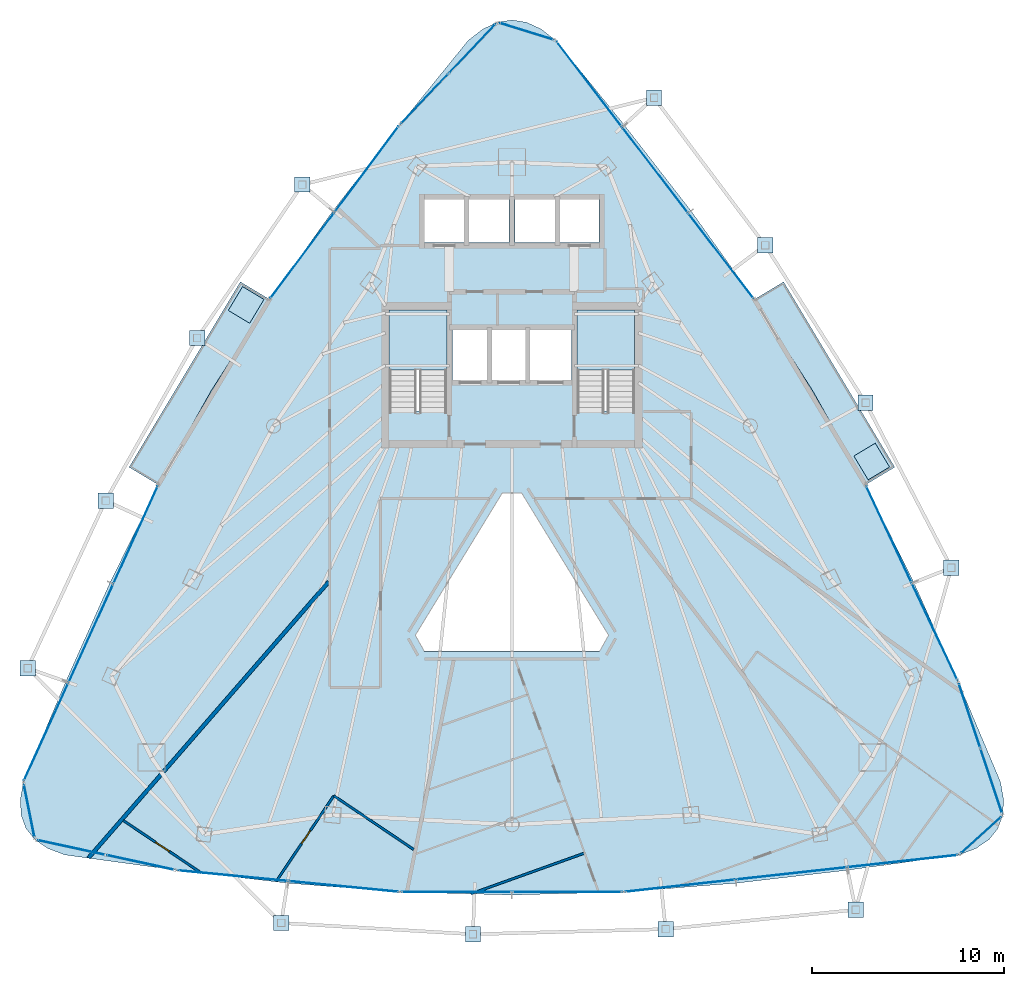
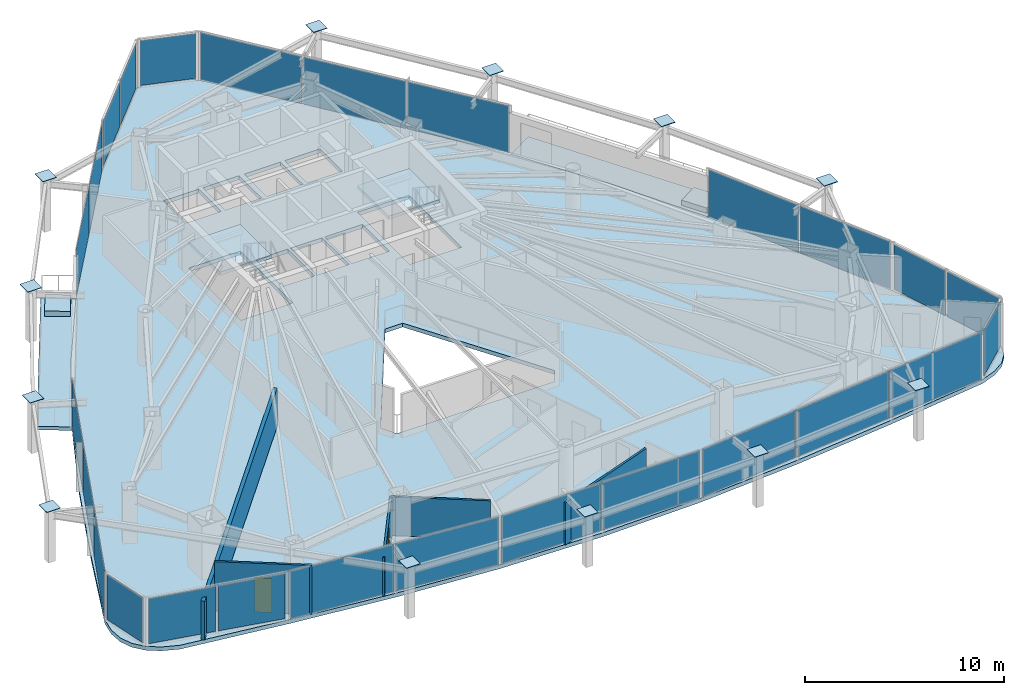
# One storey, part 24 of 30: 38 plates, 7 slabs, 5 walls, 2 doors, 2 openings, 15 elements without a shape of their own.
"""IFC4 building model written with IfcOpenShell, lengths in metres."""

from ifc_helpers import new_model, si_unit, direction, frame, frame_2d, origin, origin_2d, place, context, subcontext, project, spatial, polyline, rectangle, outline, extrude, material, layer, layer_set, type_object, element, fill, aggregate, save


model = new_model("IFC4")

# Units and contexts
model_context = context("Model", 3, precision=1e-05, world=origin(), true_north=direction((0.0, 1.0)))
body_context = subcontext(model_context, "Body", "Model", "MODEL_VIEW")
ifc_project = project(units=[si_unit("LENGTHUNIT", "METRE"), si_unit("AREAUNIT", "SQUARE_METRE"), si_unit("VOLUMEUNIT", "CUBIC_METRE"), si_unit("PLANEANGLEUNIT", "RADIAN"), si_unit("MASSUNIT", "GRAM", prefix="KILO")], contexts=[model_context])

# Site, building, storey
site_placement = place(None, origin())
site = spatial("IfcSite", under=ifc_project, at=site_placement, CompositionType="ELEMENT")
building_placement = place(site_placement, origin())
building = spatial("IfcBuilding", under=site, at=building_placement, Name="Orvanel Arch Residences", CompositionType="ELEMENT")
storey_placement = place(building_placement, frame((0.0, 0.0, 143.0)))
storey = spatial("IfcBuildingStorey", under=building, at=storey_placement, Name="L40", CompositionType="ELEMENT", Elevation=143.0)

# Plates
ifc_material_1 = material(Name="Structural steel AS/NZS 3678 Grade 350", Category="steel")
ifc_layer_1 = layer(ifc_material_1, 0.031982421875)
ifc_layer_set_1 = layer_set([ifc_layer_1], Name="Structural steel AS/NZS 3678 Grade 350")
plate_type_1 = type_object("IfcPlateType", Name="PL-CAP-32", PredefinedType="SHEET", material=ifc_layer_set_1)
for number, where, z_axis, x_axis, name in (
    (1, (22.06689453125, 40.23291015625, 3.2841796875), (0.0, 0.0, 1.0), (1.0, 0.0, 0.0), "L40 hollow member end cap plate"),
    (2, (16.5810546875, 32.23095703125, 3.2841796875), (0.0, 0.0, 1.0), (1.0, 0.0, 0.0), "L40 hollow member end cap plate"),
    (3, (11.805908203125, 23.748046875, 3.2841796875), (0.0, 0.0, 1.0), (1.0, 0.0, 0.0), "L40 hollow member end cap plate"),
    (4, (7.740966796875, 15.009033203125, 3.2841796875), (0.0, 0.0, 1.0), (1.0, 0.0, 0.0), "L40 hollow member end cap plate"),
    (5, (20.964111328125, 1.719970703125, 3.2841796875), (0.0, 0.0, 1.0), (1.0, 0.0, 0.0), "L40 hollow member end cap plate"),
    (6, (30.967041015625, 1.132080078125, 3.2841796875), (0.0, 0.0, 1.0), (1.0, 0.0, 0.0), "L40 hollow member end cap plate"),
    (7, (41.01611328125, 1.39990234375, 3.2841796875), (0.0, 0.0, 1.0), (1.0, 0.0, 0.0), "L40 hollow member end cap plate"),
    (8, (50.925048828125, 2.408935546875, 3.2841796875), (0.0, 0.0, 1.0), (1.0, 0.0, 0.0), "L40 hollow member end cap plate"),
    (9, (55.9208984375, 20.248046875, 3.2841796875), (0.0, 0.0, 1.0), (1.0, 0.0, 0.0), "L40 hollow member end cap plate"),
    (10, (51.444091796875, 28.85595703125, 3.2841796875), (0.0, 0.0, 1.0), (1.0, 0.0, 0.0), "L40 hollow member end cap plate"),
    (11, (46.2080078125, 37.06201171875, 3.2841796875), (0.0, 0.0, 1.0), (1.0, 0.0, 0.0), "L40 hollow member end cap plate"),
    (12, (40.410888671875, 44.762939453125, 3.2841796875), (0.0, 0.0, 1.0), (1.0, 0.0, 0.0), "L40 hollow member end cap plate"),
):
    element("IfcPlate", number, at=place(storey_placement, frame(where, z_axis=z_axis, x_axis=x_axis)), inside=storey, type_object=plate_type_1, Name=name, PredefinedType="SHEET", context=body_context, shape_type="SweptSolid", body=[
        extrude(rectangle(XDim=0.800048828125, YDim=0.800048828125, at=origin_2d()), origin(), (0.0, 0.0, 1.0), 0.031982421875),
    ])

# Curtain wall, plates
ifc_material_2 = material(Name="Bronze-anodised aluminium AA6063-T6", Category="aluminium")
ifc_layer_2 = layer(ifc_material_2, 0.179931640625)
ifc_layer_set_2 = layer_set([ifc_layer_2], Name="Bronze-anodised aluminium AA6063-T6")
curtain_wall_type_1 = type_object("IfcCurtainWallType", Name="CW3-MID-SYS", PredefinedType="NOTDEFINED", material=ifc_layer_set_2)
curtain_wall_1_placement = place(storey_placement, origin())
curtain_wall_1 = element("IfcCurtainWall", 13, at=curtain_wall_1_placement, inside=storey, type_object=curtain_wall_type_1, Name="L40 CW3-MID-SYS Unitised Curtain Wall", PredefinedType="NOTDEFINED")
ifc_material_3 = material(Name="Double-glazed solar-control low-E safety glass", Category="glass")
ifc_layer_3 = layer(ifc_material_3, 0.028076171875)
ifc_layer_set_3 = layer_set([ifc_layer_3], Name="Double-glazed solar-control low-E safety glass")
plate_type_2 = type_object("IfcPlateType", Name="PNL-GLZ-28", PredefinedType="CURTAIN_PANEL", material=ifc_layer_set_3)
plate_1_placement = place(storey_placement, frame((25.419677734375, 41.03466796875, 0.06005859375), z_axis=(0.0, 0.0, 1.0), x_axis=(-0.597574003819, -0.801813762641, 0.0)))
plate_1 = element("IfcPlate", 14, at=plate_1_placement, type_object=plate_type_2, Name="CW-S3 panel 1.1", PredefinedType="CURTAIN_PANEL", context=body_context, shape_type="SweptSolid", body=[
    extrude(rectangle(XDim=5.540283203125, YDim=0.028076171875, at=origin_2d()), origin(), (0.0, 0.0, 1.0), 2.89990234375),
])
plate_2_placement = place(storey_placement, frame((22.067138671875, 36.536376953125, 0.06005859375), z_axis=(0.0, 0.0, 1.0), x_axis=(-0.597574003819, -0.801813762641, 0.0)))
plate_2 = element("IfcPlate", 15, at=plate_2_placement, type_object=plate_type_2, Name="CW-S3 panel 2.1", PredefinedType="CURTAIN_PANEL", context=body_context, shape_type="SweptSolid", body=[
    extrude(rectangle(XDim=5.540283203125, YDim=0.028076171875, at=origin_2d()), origin(), (0.0, 0.0, 1.0), 2.89990234375),
])
aggregate(curtain_wall_1, [plate_1, plate_2])

curtain_wall_2_placement = place(storey_placement, origin())
curtain_wall_2 = element("IfcCurtainWall", 16, at=curtain_wall_2_placement, inside=storey, type_object=curtain_wall_type_1, Name="L40 CW3-MID-SYS Unitised Curtain Wall", PredefinedType="NOTDEFINED")
plate_3_placement = place(storey_placement, frame((13.373046875, 21.96533203125, 0.06005859375), z_axis=(0.0, 0.0, 1.0), x_axis=(-0.413621032225, -0.910449142842, 0.0)))
plate_3 = element("IfcPlate", 17, at=plate_3_placement, type_object=plate_type_2, Name="CW-S3 panel 1.1", PredefinedType="CURTAIN_PANEL", context=body_context, shape_type="SweptSolid", body=[
    extrude(rectangle(XDim=5.5556640625, YDim=0.028076171875, at=origin_2d()), origin(), (0.0, 0.0, 1.0), 2.89990234375),
])
plate_4_placement = place(storey_placement, frame((11.0390625, 16.827392578125, 0.06005859375), z_axis=(0.0, 0.0, 1.0), x_axis=(-0.413621032225, -0.910449142842, 0.0)))
plate_4 = element("IfcPlate", 18, at=plate_4_placement, type_object=plate_type_2, Name="CW-S3 panel 2.1", PredefinedType="CURTAIN_PANEL", context=body_context, shape_type="SweptSolid", body=[
    extrude(rectangle(XDim=5.590576171875, YDim=0.028076171875, at=origin_2d()), origin(), (0.0, 0.0, 1.0), 2.89990234375),
])
plate_5_placement = place(storey_placement, frame((8.704833984375, 11.689697265625, 0.06005859375), z_axis=(0.0, 0.0, 1.0), x_axis=(-0.413621032225, -0.910449142842, 0.0)))
plate_5 = element("IfcPlate", 19, at=plate_5_placement, type_object=plate_type_2, Name="CW-S3 panel 3.1", PredefinedType="CURTAIN_PANEL", context=body_context, shape_type="SweptSolid", body=[
    extrude(rectangle(XDim=5.5556640625, YDim=0.028076171875, at=origin_2d()), origin(), (0.0, 0.0, 1.0), 2.89990234375),
])
aggregate(curtain_wall_2, [plate_3, plate_4, plate_5])

curtain_wall_3_placement = place(storey_placement, origin())
curtain_wall_3 = element("IfcCurtainWall", 20, at=curtain_wall_3_placement, inside=storey, type_object=curtain_wall_type_1, Name="L40 CW3-MID-SYS Unitised Curtain Wall", PredefinedType="NOTDEFINED")
plate_6_placement = place(storey_placement, frame((18.449951171875, 4.183349609375, 0.06005859375), z_axis=(0.0, 0.0, 1.0), x_axis=(0.99532295767, -0.096603363992, 0.0)))
plate_6 = element("IfcPlate", 21, at=plate_6_placement, type_object=plate_type_2, Name="CW-S3 panel 1.1", PredefinedType="CURTAIN_PANEL", context=body_context, shape_type="SweptSolid", body=[
    extrude(rectangle(XDim=5.7333984375, YDim=0.028076171875, at=origin_2d()), origin(), (0.0, 0.0, 1.0), 2.89990234375),
])
plate_7_placement = place(storey_placement, frame((24.22607421875, 3.622802734375, 0.06005859375), z_axis=(0.0, 0.0, 1.0), x_axis=(0.99532295767, -0.096603363992, 0.0)))
plate_7 = element("IfcPlate", 22, at=plate_7_placement, type_object=plate_type_2, Name="CW-S3 panel 2.1", PredefinedType="CURTAIN_PANEL", context=body_context, shape_type="SweptSolid", body=[
    extrude(rectangle(XDim=5.7333984375, YDim=0.028076171875, at=origin_2d()), origin(), (0.0, 0.0, 1.0), 2.89990234375),
])
aggregate(curtain_wall_3, [plate_6, plate_7])

curtain_wall_4_placement = place(storey_placement, origin())
curtain_wall_4 = element("IfcCurtainWall", 23, at=curtain_wall_4_placement, inside=storey, type_object=curtain_wall_type_1, Name="L40 CW3-MID-SYS Unitised Curtain Wall", PredefinedType="NOTDEFINED")
plate_8_placement = place(storey_placement, frame((30.112060546875, 3.3369140625, 0.06005859375), z_axis=(0.0, 0.0, 1.0), x_axis=(1.0, 0.0, 0.0)))
plate_8 = element("IfcPlate", 24, at=plate_8_placement, type_object=plate_type_2, Name="CW-S3 panel 1.1", PredefinedType="CURTAIN_PANEL", context=body_context, shape_type="SweptSolid", body=[
    extrude(rectangle(XDim=5.7060546875, YDim=0.028076171875, at=origin_2d()), origin(), (0.0, 0.0, 1.0), 2.89990234375),
])
plate_9_placement = place(storey_placement, frame((35.887939453125, 3.3369140625, 0.06005859375), z_axis=(0.0, 0.0, 1.0), x_axis=(1.0, 0.0, 0.0)))
plate_9 = element("IfcPlate", 25, at=plate_9_placement, type_object=plate_type_2, Name="CW-S3 panel 2.1", PredefinedType="CURTAIN_PANEL", context=body_context, shape_type="SweptSolid", body=[
    extrude(rectangle(XDim=5.7060546875, YDim=0.028076171875, at=origin_2d()), origin(), (0.0, 0.0, 1.0), 2.89990234375),
])
aggregate(curtain_wall_4, [plate_8, plate_9])

curtain_wall_5_placement = place(storey_placement, origin())
curtain_wall_5 = element("IfcCurtainWall", 26, at=curtain_wall_5_placement, inside=storey, type_object=curtain_wall_type_1, Name="L40 CW3-MID-SYS Unitised Curtain Wall", PredefinedType="NOTDEFINED")
plate_10_placement = place(storey_placement, frame((41.77734375, 3.662353515625, 0.06005859375), z_axis=(0.0, 0.0, 1.0), x_axis=(0.993947463376, 0.109856452012, 0.0)))
plate_10 = element("IfcPlate", 27, at=plate_10_placement, type_object=plate_type_2, Name="CW-S3 panel 1.1", PredefinedType="CURTAIN_PANEL", context=body_context, shape_type="SweptSolid", body=[
    extrude(rectangle(XDim=5.748046875, YDim=0.028076171875, at=origin_2d()), origin(), (0.0, 0.0, 1.0), 2.89990234375),
])
plate_11_placement = place(storey_placement, frame((47.577392578125, 4.303466796875, 0.06005859375), z_axis=(0.0, 0.0, 1.0), x_axis=(0.993947463376, 0.109856452012, 0.0)))
plate_11 = element("IfcPlate", 28, at=plate_11_placement, type_object=plate_type_2, Name="CW-S3 panel 2.1", PredefinedType="CURTAIN_PANEL", context=body_context, shape_type="SweptSolid", body=[
    extrude(rectangle(XDim=5.783203125, YDim=0.028076171875, at=origin_2d()), origin(), (0.0, 0.0, 1.0), 2.89990234375),
])
plate_12_placement = place(storey_placement, frame((53.377685546875, 4.944580078125, 0.06005859375), z_axis=(0.0, 0.0, 1.0), x_axis=(0.993947463376, 0.109856452012, 0.0)))
plate_12 = element("IfcPlate", 29, at=plate_12_placement, type_object=plate_type_2, Name="CW-S3 panel 3.1", PredefinedType="CURTAIN_PANEL", context=body_context, shape_type="SweptSolid", body=[
    extrude(rectangle(XDim=5.748046875, YDim=0.028076171875, at=origin_2d()), origin(), (0.0, 0.0, 1.0), 2.89990234375),
])
aggregate(curtain_wall_5, [plate_10, plate_11, plate_12])

curtain_wall_6_placement = place(storey_placement, origin())
curtain_wall_6 = element("IfcCurtainWall", 30, at=curtain_wall_6_placement, inside=storey, type_object=curtain_wall_type_1, Name="L40 CW3-MID-SYS Unitised Curtain Wall", PredefinedType="NOTDEFINED")
plate_13_placement = place(storey_placement, frame((55.050048828125, 16.91259765625, 0.06005859375), z_axis=(0.0, 0.0, 1.0), x_axis=(-0.426010289326, 0.904718317151, 0.0)))
plate_13 = element("IfcPlate", 31, at=plate_13_placement, type_object=plate_type_2, Name="CW-S3 panel 1.1", PredefinedType="CURTAIN_PANEL", context=body_context, shape_type="SweptSolid", body=[
    extrude(rectangle(XDim=5.540283203125, YDim=0.028076171875, at=origin_2d()), origin(), (0.0, 0.0, 1.0), 2.89990234375),
])
plate_14_placement = place(storey_placement, frame((52.659912109375, 21.988525390625, 0.06005859375), z_axis=(0.0, 0.0, 1.0), x_axis=(-0.426010289326, 0.904718317151, 0.0)))
plate_14 = element("IfcPlate", 32, at=plate_14_placement, type_object=plate_type_2, Name="CW-S3 panel 2.1", PredefinedType="CURTAIN_PANEL", context=body_context, shape_type="SweptSolid", body=[
    extrude(rectangle(XDim=5.540283203125, YDim=0.028076171875, at=origin_2d()), origin(), (0.0, 0.0, 1.0), 2.89990234375),
])
aggregate(curtain_wall_6, [plate_13, plate_14])

curtain_wall_7_placement = place(storey_placement, origin())
curtain_wall_7 = element("IfcCurtainWall", 33, at=curtain_wall_7_placement, inside=storey, type_object=curtain_wall_type_1, Name="L40 CW3-MID-SYS Unitised Curtain Wall", PredefinedType="NOTDEFINED")
plate_15_placement = place(storey_placement, frame((43.897216796875, 36.518798828125, 0.06005859375), z_axis=(0.0, 0.0, 1.0), x_axis=(-0.608511901478, 0.793544747169, 0.0)))
plate_15 = element("IfcPlate", 34, at=plate_15_placement, type_object=plate_type_2, Name="CW-S3 panel 1.1", PredefinedType="CURTAIN_PANEL", context=body_context, shape_type="SweptSolid", body=[
    extrude(rectangle(XDim=5.55517578125, YDim=0.028076171875, at=origin_2d()), origin(), (0.0, 0.0, 1.0), 2.89990234375),
])
plate_16_placement = place(storey_placement, frame((40.46337890625, 40.99658203125, 0.06005859375), z_axis=(0.0, 0.0, 1.0), x_axis=(-0.608511901478, 0.793544747169, 0.0)))
plate_16 = element("IfcPlate", 35, at=plate_16_placement, type_object=plate_type_2, Name="CW-S3 panel 2.1", PredefinedType="CURTAIN_PANEL", context=body_context, shape_type="SweptSolid", body=[
    extrude(rectangle(XDim=5.59033203125, YDim=0.028076171875, at=origin_2d()), origin(), (0.0, 0.0, 1.0), 2.89990234375),
])
plate_17_placement = place(storey_placement, frame((37.02978515625, 45.474365234375, 0.06005859375), z_axis=(0.0, 0.0, 1.0), x_axis=(-0.608511901478, 0.793544747169, 0.0)))
plate_17 = element("IfcPlate", 36, at=plate_17_placement, type_object=plate_type_2, Name="CW-S3 panel 3.1", PredefinedType="CURTAIN_PANEL", context=body_context, shape_type="SweptSolid", body=[
    extrude(rectangle(XDim=5.55517578125, YDim=0.028076171875, at=origin_2d()), origin(), (0.0, 0.0, 1.0), 2.89990234375),
])
aggregate(curtain_wall_7, [plate_15, plate_16, plate_17])

# Curtain wall, plate
ifc_layer_4 = layer(ifc_material_2, 0.18994140625)
ifc_layer_set_4 = layer_set([ifc_layer_4], Name="Bronze-anodised aluminium AA6063-T6")
curtain_wall_type_2 = type_object("IfcCurtainWallType", Name="CW5-CRN-SYS", PredefinedType="NOTDEFINED", material=ifc_layer_set_4)
curtain_wall_8_placement = place(storey_placement, origin())
curtain_wall_8 = element("IfcCurtainWall", 37, at=curtain_wall_8_placement, inside=storey, type_object=curtain_wall_type_2, Name="L40 CW5-CRN-SYS Unitised Curtain Wall", PredefinedType="NOTDEFINED")
ifc_layer_5 = layer(ifc_material_3, 0.031982421875)
ifc_layer_set_5 = layer_set([ifc_layer_5], Name="Double-glazed solar-control low-E safety glass")
plate_type_3 = type_object("IfcPlateType", Name="PNL-GLZ-32", PredefinedType="CURTAIN_PANEL", material=ifc_layer_set_5)
plate_18_placement = place(storey_placement, frame((33.761474609375, 48.22412109375, 0.1298828125), z_axis=(0.0, 0.0, 1.0), x_axis=(-0.954868777514, 0.297027974658, 0.0)))
plate_18 = element("IfcPlate", 38, at=plate_18_placement, type_object=plate_type_3, Name="CW-S5 panel 1.1", PredefinedType="CURTAIN_PANEL", context=body_context, shape_type="SweptSolid", body=[
    extrude(rectangle(XDim=2.851318359375, YDim=0.031982421875, at=origin_2d()), origin(), (0.0, 0.0, 1.0), 2.760009765625),
])
aggregate(curtain_wall_8, [plate_18])

# Curtain wall, plates
curtain_wall_9_placement = place(storey_placement, origin())
curtain_wall_9 = element("IfcCurtainWall", 39, at=curtain_wall_9_placement, inside=storey, type_object=curtain_wall_type_2, Name="L40 CW5-CRN-SYS Unitised Curtain Wall", PredefinedType="NOTDEFINED")
plate_19_placement = place(storey_placement, frame((30.927978515625, 47.3212890625, 0.1298828125), z_axis=(0.0, 0.0, 1.0), x_axis=(-0.689184239902, -0.724586146342, 0.0)))
plate_19 = element("IfcPlate", 40, at=plate_19_placement, type_object=plate_type_3, Name="CW-S5 panel 1.1", PredefinedType="CURTAIN_PANEL", context=body_context, shape_type="SweptSolid", body=[
    extrude(rectangle(XDim=3.461181640625, YDim=0.031982421875, at=origin_2d()), origin(), (0.0, 0.0, 1.0), 2.760009765625),
])
plate_20_placement = place(storey_placement, frame((28.439208984375, 44.70458984375, 0.1298828125), z_axis=(0.0, 0.0, 1.0), x_axis=(-0.689184239902, -0.724586146342, 0.0)))
plate_20 = element("IfcPlate", 41, at=plate_20_placement, type_object=plate_type_3, Name="CW-S5 panel 2.1", PredefinedType="CURTAIN_PANEL", context=body_context, shape_type="SweptSolid", body=[
    extrude(rectangle(XDim=3.461181640625, YDim=0.031982421875, at=origin_2d()), origin(), (0.0, 0.0, 1.0), 2.760009765625),
])
aggregate(curtain_wall_9, [plate_19, plate_20])

# Curtain wall, plate
curtain_wall_10_placement = place(storey_placement, origin())
curtain_wall_10 = element("IfcCurtainWall", 42, at=curtain_wall_10_placement, inside=storey, type_object=curtain_wall_type_2, Name="L40 CW5-CRN-SYS Unitised Curtain Wall", PredefinedType="NOTDEFINED")
plate_21_placement = place(storey_placement, frame((7.819580078125, 7.572509765625, 0.1298828125), z_axis=(0.0, 0.0, 1.0), x_axis=(0.195608627675, -0.980682040612, 0.0)))
plate_21 = element("IfcPlate", 43, at=plate_21_placement, type_object=plate_type_3, Name="CW-S5 panel 1.1", PredefinedType="CURTAIN_PANEL", context=body_context, shape_type="SweptSolid", body=[
    extrude(rectangle(XDim=2.7314453125, YDim=0.031982421875, at=origin_2d()), origin(), (0.0, 0.0, 1.0), 2.760009765625),
])
aggregate(curtain_wall_10, [plate_21])

# Curtain wall, plates
curtain_wall_11_placement = place(storey_placement, origin())
curtain_wall_11 = element("IfcCurtainWall", 44, at=curtain_wall_11_placement, inside=storey, type_object=curtain_wall_type_2, Name="L40 CW5-CRN-SYS Unitised Curtain Wall", PredefinedType="NOTDEFINED")
plate_22_placement = place(storey_placement, frame((10.013427734375, 5.65673828125, 0.1298828125), z_axis=(0.0, 0.0, 1.0), x_axis=(0.977401537989, -0.211391186041, 0.0)))
plate_22 = element("IfcPlate", 45, at=plate_22_placement, type_object=plate_type_3, Name="CW-S5 panel 1.1", PredefinedType="CURTAIN_PANEL", context=body_context, shape_type="SweptSolid", body=[
    extrude(rectangle(XDim=3.533447265625, YDim=0.031982421875, at=origin_2d()), origin(), (0.0, 0.0, 1.0), 2.760009765625),
])
plate_23_placement = place(storey_placement, frame((13.613525390625, 4.878173828125, 0.1298828125), z_axis=(0.0, 0.0, 1.0), x_axis=(0.977401537989, -0.211391186041, 0.0)))
plate_23 = element("IfcPlate", 46, at=plate_23_placement, type_object=plate_type_3, Name="CW-S5 panel 2.1", PredefinedType="CURTAIN_PANEL", context=body_context, shape_type="SweptSolid", body=[
    extrude(rectangle(XDim=3.533447265625, YDim=0.031982421875, at=origin_2d()), origin(), (0.0, 0.0, 1.0), 2.760009765625),
])
aggregate(curtain_wall_11, [plate_22, plate_23])

# Curtain wall, plate
curtain_wall_12_placement = place(storey_placement, origin())
curtain_wall_12 = element("IfcCurtainWall", 47, at=curtain_wall_12_placement, inside=storey, type_object=curtain_wall_type_2, Name="L40 CW5-CRN-SYS Unitised Curtain Wall", PredefinedType="NOTDEFINED")
plate_24_placement = place(storey_placement, frame((57.46142578125, 6.302978515625, 0.1298828125), z_axis=(0.0, 0.0, 1.0), x_axis=(0.740089223129, 0.672508692738, 0.0)))
plate_24 = element("IfcPlate", 48, at=plate_24_placement, type_object=plate_type_3, Name="CW-S5 panel 1.1", PredefinedType="CURTAIN_PANEL", context=body_context, shape_type="SweptSolid", body=[
    extrude(rectangle(XDim=2.7333984375, YDim=0.031982421875, at=origin_2d()), origin(), (0.0, 0.0, 1.0), 2.760009765625),
])
aggregate(curtain_wall_12, [plate_24])

# Curtain wall, plates
curtain_wall_13_placement = place(storey_placement, origin())
curtain_wall_13 = element("IfcCurtainWall", 49, at=curtain_wall_13_placement, inside=storey, type_object=curtain_wall_type_2, Name="L40 CW5-CRN-SYS Unitised Curtain Wall", PredefinedType="NOTDEFINED")
plate_25_placement = place(storey_placement, frame((58.001708984375, 9.12841796875, 0.1298828125), z_axis=(0.0, 0.0, 1.0), x_axis=(-0.316350591471, 0.948642347398, 0.0)))
plate_25 = element("IfcPlate", 50, at=plate_25_placement, type_object=plate_type_3, Name="CW-S5 panel 1.1", PredefinedType="CURTAIN_PANEL", context=body_context, shape_type="SweptSolid", body=[
    extrude(rectangle(XDim=3.438720703125, YDim=0.031982421875, at=origin_2d()), origin(), (0.0, 0.0, 1.0), 2.760009765625),
])
plate_26_placement = place(storey_placement, frame((56.866455078125, 12.53271484375, 0.1298828125), z_axis=(0.0, 0.0, 1.0), x_axis=(-0.316350591471, 0.948642347398, 0.0)))
plate_26 = element("IfcPlate", 51, at=plate_26_placement, type_object=plate_type_3, Name="CW-S5 panel 2.1", PredefinedType="CURTAIN_PANEL", context=body_context, shape_type="SweptSolid", body=[
    extrude(rectangle(XDim=3.438720703125, YDim=0.031982421875, at=origin_2d()), origin(), (0.0, 0.0, 1.0), 2.760009765625),
])
aggregate(curtain_wall_13, [plate_25, plate_26])

# Slabs
ifc_material_4 = material(Name="Concrete N40 (40 MPa)", Category="concrete")
ifc_layer_6 = layer(ifc_material_4, 0.215087890625)
ifc_layer_set_6 = layer_set([ifc_layer_6], Name="Concrete N40 (40 MPa)")
slab_type_1 = type_object("IfcSlabType", Name="SLB-BAL-215", PredefinedType="FLOOR", material=ifc_layer_set_6)
slab_1_placement = place(storey_placement, frame((0.0, 0.0, -0.215087890625)))
element("IfcSlab", 52, at=slab_1_placement, inside=storey, type_object=slab_type_1, Name="L40 Cantilevered Balcony Slab Face 3", PredefinedType="FLOOR", context=body_context, shape_type="SweptSolid", body=[
    extrude(outline(polyline([(52.967041015625, 25.490966796875), (47.16796875, 35.158935546875), (45.64208984375, 34.242919921875), (48.677978515625, 29.490966796875), (51.44091796875, 24.575927734375), (52.967041015625, 25.490966796875)])), origin(), (0.0, 0.0, 1.0), 0.215087890625),
])
slab_2_placement = place(storey_placement, frame((0.0, 0.0, -0.215087890625)))
element("IfcSlab", 53, at=slab_2_placement, inside=storey, type_object=slab_type_1, Name="L40 Cantilevered Balcony Slab Face 1", PredefinedType="FLOOR", context=body_context, shape_type="SweptSolid", body=[
    extrude(outline(polyline([(18.83203125, 35.158935546875), (13.032958984375, 25.490966796875), (14.55908203125, 24.575927734375), (17.322021484375, 29.490966796875), (20.35791015625, 34.242919921875), (18.83203125, 35.158935546875)])), origin(), (0.0, 0.0, 1.0), 0.215087890625),
])

# Stair, slab
ifc_material_5 = material(Name="Precast concrete N50 (50 MPa)", Category="concrete")
stair_type = type_object("IfcStairType", Name="STR-DOG-184", PredefinedType="USERDEFINED", material=ifc_material_5)
stair_1_placement = place(storey_placement, origin())
stair_1 = element("IfcStair", 54, at=stair_1_placement, inside=storey, type_object=stair_type, Name="L40 Fire-Isolated Core Exit Stair 1", ObjectType="TWO_RETURN_STAIR", PredefinedType="USERDEFINED")
ifc_layer_7 = layer(ifc_material_4, 0.199951171875)
ifc_layer_set_7 = layer_set([ifc_layer_7], Name="Concrete N40 (40 MPa)")
slab_type_2 = type_object("IfcSlabType", Name="SLB-LND-200", PredefinedType="LANDING", material=ifc_layer_set_7)
slab_3_placement = place(storey_placement, frame((0.0, 0.0, 1.449951171875)))
slab_3 = element("IfcSlab", 55, at=slab_3_placement, type_object=slab_type_2, Name="ST-1 landing 1", PredefinedType="LANDING", context=body_context, shape_type="SweptSolid", body=[
    extrude(outline(polyline([(29.60009765625, 30.56005859375), (29.60009765625, 33.699951171875), (26.60009765625, 33.699951171875), (26.60009765625, 30.56005859375), (29.60009765625, 30.56005859375)])), origin(), (0.0, 0.0, 1.0), 0.199951171875),
])
aggregate(stair_1, [slab_3])

stair_2_placement = place(storey_placement, origin())
stair_2 = element("IfcStair", 56, at=stair_2_placement, inside=storey, type_object=stair_type, Name="L40 Fire-Isolated Core Exit Stair 2", ObjectType="TWO_RETURN_STAIR", PredefinedType="USERDEFINED")
slab_4_placement = place(storey_placement, frame((0.0, 0.0, 1.449951171875)))
slab_4 = element("IfcSlab", 57, at=slab_4_placement, type_object=slab_type_2, Name="ST-2 landing 1", PredefinedType="LANDING", context=body_context, shape_type="SweptSolid", body=[
    extrude(outline(polyline([(39.39990234375, 30.56005859375), (39.39990234375, 33.699951171875), (36.39990234375, 33.699951171875), (36.39990234375, 30.56005859375), (39.39990234375, 30.56005859375)])), origin(), (0.0, 0.0, 1.0), 0.199951171875),
])
aggregate(stair_2, [slab_4])

# Slabs
ifc_material_6 = material(Name="Structural architectural precast concrete N40 (40 MPa) planter", Category="concrete")
ifc_layer_8 = layer(ifc_material_6, 0.320068359375)
ifc_layer_set_8 = layer_set([ifc_layer_8], Name="Structural architectural precast concrete N40 (40 MPa) planter")
slab_type_3 = type_object("IfcSlabType", Name="SLB-PLN-320", PredefinedType="USERDEFINED", material=ifc_layer_set_8)
slab_5_placement = place(storey_placement, origin())
element("IfcSlab", 58, at=slab_5_placement, inside=storey, type_object=slab_type_3, Name="L40 Balcony TREE PLANTER Face 3", ObjectType="PLANTER", PredefinedType="USERDEFINED", context=body_context, shape_type="SweptSolid", body=[
    extrude(outline(polyline([(52.693115234375, 25.501953125), (51.947021484375, 26.7451171875), (50.83203125, 26.075927734375), (51.577880859375, 24.8330078125), (52.693115234375, 25.501953125)])), origin(), (0.0, 0.0, 1.0), 0.320068359375),
])
slab_6_placement = place(storey_placement, origin())
element("IfcSlab", 59, at=slab_6_placement, inside=storey, type_object=slab_type_3, Name="L40 Balcony TREE PLANTER Face 1", ObjectType="PLANTER", PredefinedType="USERDEFINED", context=body_context, shape_type="SweptSolid", body=[
    extrude(outline(polyline([(18.951904296875, 34.912109375), (18.2060546875, 33.6689453125), (19.321044921875, 33.0), (20.06689453125, 34.242919921875), (18.951904296875, 34.912109375)])), origin(), (0.0, 0.0, 1.0), 0.320068359375),
])
ifc_layer_9 = layer(ifc_material_4, 0.239990234375)
ifc_layer_set_9 = layer_set([ifc_layer_9], Name="Concrete N40 (40 MPa)")
slab_type_4 = type_object("IfcSlabType", Name="SLB-TYP-240", PredefinedType="FLOOR", material=ifc_layer_set_9)
slab_7_placement = place(storey_placement, frame((0.0, 0.0, -0.239990234375)))
element("IfcSlab", 60, at=slab_7_placement, inside=storey, type_object=slab_type_4, Name="L40 Tower Floor Slab", PredefinedType="FLOOR", context=body_context, shape_type="SweptSolid", body=[
    extrude(outline(polyline([(35.284912109375, 47.75), (34.52294921875, 48.343017578125), (33.761962890625, 48.697998046875), (33.0, 48.81689453125), (32.238037109375, 48.697998046875), (31.47705078125, 48.343017578125), (30.715087890625, 47.75), (27.12890625, 43.327880859375), (23.64697265625, 38.843994140625), (20.35791015625, 34.242919921875), (17.322021484375, 29.490966796875), (14.55908203125, 24.575927734375), (12.049072265625, 19.508056640625), (9.73193359375, 14.324951171875), (7.51904296875, 9.0791015625), (7.35498046875, 8.14794921875), (7.40087890625, 7.3359375), (7.655029296875, 6.64208984375), (8.1201171875, 6.06591796875), (8.79296875, 5.60888671875), (9.676025390625, 5.27001953125), (15.507080078125, 4.468994140625), (21.337890625, 3.791015625), (27.1689453125, 3.3369140625), (33.0, 3.177978515625), (38.8310546875, 3.3369140625), (44.662109375, 3.791015625), (50.492919921875, 4.468994140625), (56.323974609375, 5.27001953125), (57.20703125, 5.60888671875), (57.8798828125, 6.06591796875), (58.343994140625, 6.64208984375), (58.59912109375, 7.3359375), (58.64501953125, 8.14794921875), (58.48095703125, 9.0791015625), (56.26904296875, 14.324951171875), (53.950927734375, 19.508056640625), (51.44091796875, 24.575927734375), (48.677978515625, 29.490966796875), (45.64208984375, 34.242919921875), (42.35302734375, 38.843994140625), (38.87109375, 43.327880859375), (35.284912109375, 47.75)]), holes=[polyline([(26.60009765625, 28.429931640625), (26.60009765625, 33.699951171875), (29.60009765625, 33.699951171875), (29.60009765625, 28.429931640625), (26.60009765625, 28.429931640625)]), polyline([(36.39990234375, 28.429931640625), (36.39990234375, 33.699951171875), (39.39990234375, 33.699951171875), (39.39990234375, 28.429931640625), (36.39990234375, 28.429931640625)]), polyline([(29.89990234375, 32.64990234375), (31.75, 32.64990234375), (31.75, 29.949951171875), (29.89990234375, 29.949951171875), (29.89990234375, 32.64990234375)]), polyline([(31.89990234375, 32.64990234375), (33.75, 32.64990234375), (33.75, 29.949951171875), (31.89990234375, 29.949951171875), (31.89990234375, 32.64990234375)]), polyline([(33.89990234375, 32.64990234375), (36.10009765625, 32.64990234375), (36.10009765625, 29.949951171875), (33.89990234375, 29.949951171875), (33.89990234375, 32.64990234375)]), polyline([(28.449951171875, 39.449951171875), (30.5, 39.449951171875), (30.5, 37.199951171875), (28.449951171875, 37.199951171875), (28.449951171875, 39.449951171875)]), polyline([(35.5, 39.449951171875), (37.550048828125, 39.449951171875), (37.550048828125, 37.199951171875), (35.5, 37.199951171875), (35.5, 39.449951171875)]), polyline([(30.75, 39.449951171875), (32.85009765625, 39.449951171875), (32.85009765625, 37.199951171875), (30.75, 37.199951171875), (30.75, 39.449951171875)]), polyline([(33.14990234375, 39.449951171875), (35.25, 39.449951171875), (35.25, 37.199951171875), (33.14990234375, 37.199951171875), (33.14990234375, 39.449951171875)]), polyline([(38.0419921875, 16.72705078125), (37.573974609375, 15.89111328125), (28.426025390625, 15.89111328125), (27.9580078125, 16.72705078125), (32.489013671875, 24.138916015625), (33.510986328125, 24.138916015625), (38.0419921875, 16.72705078125)])]), origin(), (0.0, 0.0, 1.0), 0.239990234375),
])

# Walls
ifc_material_7 = material(Name="Fire-rated plasterboard lined steel stud partition", Category="steel")
ifc_layer_10 = layer(ifc_material_7, 0.199951171875)
ifc_layer_set_10 = layer_set([ifc_layer_10], Name="Fire-rated plasterboard lined steel stud partition")
wall_type_1 = type_object("IfcWallType", Name="W-DEM-200", PredefinedType="PARTITIONING", material=ifc_layer_set_10)
wall_1_placement = place(storey_placement, frame((23.43994140625, 19.511962890625, 0.0), z_axis=(0.0, 0.0, 1.0), x_axis=(-0.656359216658, -0.754448526215, 0.0)))
element("IfcWall", 61, at=wall_1_placement, inside=storey, type_object=wall_type_1, Name="L40 Inter-Tenancy Acoustic Demising Wall", PredefinedType="PARTITIONING", context=body_context, shape_type="SweptSolid", body=[
    extrude(rectangle(XDim=19.08544921875, YDim=0.199951171875, at=frame_2d((9.542724609375, 0.0))), origin(), (0.0, 0.0, 1.0), 2.373046875),
])
ifc_material_8 = material(Name="Acoustic plasterboard lined twin-stud partition", Category="gypsum")
ifc_layer_11 = layer(ifc_material_8, 0.1201171875)
ifc_layer_set_11 = layer_set([ifc_layer_11], Name="Acoustic plasterboard lined twin-stud partition")
wall_type_2 = type_object("IfcWallType", Name="W-WET-120", PredefinedType="PARTITIONING", material=ifc_layer_set_11)
wall_2_placement = place(storey_placement, frame((30.864990234375, 3.240966796875, 0.0), z_axis=(0.0, 0.0, 1.0), x_axis=(0.941328015911, 0.337493061354, 0.0)))
element("IfcWall", 62, at=wall_2_placement, inside=storey, type_object=wall_type_2, Name="L40 Flat A Internal Partition", PredefinedType="PARTITIONING", context=body_context, shape_type="SweptSolid", body=[
    extrude(rectangle(XDim=6.29638671875, YDim=0.1201171875, at=frame_2d((3.148193359375, 0.0))), origin(), (0.0, 0.0, 1.0), 2.5791015625),
])
wall_3_placement = place(storey_placement, frame((27.87890625, 5.548095703125, 0.0), z_axis=(0.0, 0.0, 1.0), x_axis=(-0.829629274352, 0.558314666777, 0.0)))
element("IfcWall", 63, at=wall_3_placement, inside=storey, type_object=wall_type_2, Name="L40 Studio D Bathroom Partition", PredefinedType="PARTITIONING", context=body_context, shape_type="SweptSolid", body=[
    extrude(rectangle(XDim=5.02734375, YDim=0.1201171875, at=frame_2d((2.513671875, 0.0))), origin(), (0.0, 0.0, 1.0), 2.373046875),
])

# Wall, opening, door
wall_4_placement = place(storey_placement, frame((23.7080078125, 8.35498046875, 0.0), z_axis=(0.0, 0.0, 1.0), x_axis=(-0.55815233332, -0.829738496642, 0.0)))
wall_4 = element("IfcWall", 64, at=wall_4_placement, inside=storey, type_object=wall_type_2, Name="L40 Studio D Bathroom Partition", PredefinedType="PARTITIONING", context=body_context, shape_type="SweptSolid", body=[
    extrude(rectangle(XDim=5.39453125, YDim=0.1201171875, at=frame_2d((2.697265625, 0.0))), origin(), (0.0, 0.0, 1.0), 2.373046875),
])
opening_1_placement = place(wall_4_placement, frame((2.18994140625, 0.0, 0.0)))
opening_1 = element("IfcOpeningElement", 65, at=opening_1_placement, cuts=wall_4, Name="Opening DW-082", PredefinedType="OPENING", context=body_context, shape_type="SweptSolid", body=[
    extrude(rectangle(XDim=0.820068359375, YDim=2.10009765625, at=frame_2d((0.41015625, 1.050048828125))), frame((0.0, 0.070068359375, 0.0), z_axis=(0.0, -1.0, 0.0), x_axis=(1.0, 0.0, 0.0)), (0.0, 0.0, 1.0), 0.14013671875),
])
ifc_material_9 = material(Name="Solid-core European oak veneer fire door leaf", Category="wood")
door_type_1 = type_object("IfcDoorType", Name="DR-WET-820", OperationType="NOTDEFINED", PredefinedType="DOOR", material=ifc_material_9)
door_1_placement = place(opening_1_placement, origin())
door_1 = element("IfcDoor", 66, at=door_1_placement, inside=storey, type_object=door_type_1, Name="DR-L40-D-BATH L40 Studio D Bathroom Door", OperationType="SINGLE_SWING_RIGHT", OverallHeight=2.10009765625, OverallWidth=0.820068359375, PredefinedType="DOOR", context=body_context, shape_type="SweptSolid", body=[
    extrude(rectangle(XDim=0.820068359375, YDim=2.10009765625, at=frame_2d((0.41015625, 1.050048828125))), frame((0.0, 0.02490234375, 0.0), z_axis=(0.0, -1.0, 0.0), x_axis=(1.0, 0.0, 0.0)), (0.0, 0.0, 1.0), 0.050048828125),
])
fill(opening_1, door_1)

wall_5_placement = place(storey_placement, frame((16.800048828125, 4.325927734375, 0.0), z_axis=(0.0, 0.0, 1.0), x_axis=(-0.829756434678, 0.558125666056, 0.0)))
wall_5 = element("IfcWall", 67, at=wall_5_placement, inside=storey, type_object=wall_type_2, Name="L40 Studio D Internal Partition", PredefinedType="PARTITIONING", context=body_context, shape_type="SweptSolid", body=[
    extrude(rectangle(XDim=4.9111328125, YDim=0.1201171875, at=frame_2d((2.45556640625, 0.0))), origin(), (0.0, 0.0, 1.0), 3.02001953125),
])
opening_2_placement = place(wall_5_placement, frame((2.01611328125, 0.0, 0.0)))
opening_2 = element("IfcOpeningElement", 68, at=opening_2_placement, cuts=wall_5, Name="Opening DI-088", PredefinedType="OPENING", context=body_context, shape_type="SweptSolid", body=[
    extrude(rectangle(XDim=0.8798828125, YDim=2.10009765625, at=frame_2d((0.43994140625, 1.050048828125))), frame((0.0, 0.070068359375, 0.0), z_axis=(0.0, -1.0, 0.0), x_axis=(1.0, 0.0, 0.0)), (0.0, 0.0, 1.0), 0.14013671875),
])
door_type_2 = type_object("IfcDoorType", Name="DR-INT-880", OperationType="NOTDEFINED", PredefinedType="DOOR", material=ifc_material_9)
door_2_placement = place(opening_2_placement, origin())
door_2 = element("IfcDoor", 69, at=door_2_placement, inside=storey, type_object=door_type_2, Name="DR-L40-D-KIT L40 Studio D Kitchenette Door", OperationType="SINGLE_SWING_LEFT", OverallHeight=2.10009765625, OverallWidth=0.8798828125, PredefinedType="DOOR", context=body_context, shape_type="SweptSolid", body=[
    extrude(rectangle(XDim=0.8798828125, YDim=2.10009765625, at=frame_2d((0.43994140625, 1.050048828125))), frame((0.0, 0.02490234375, 0.0), z_axis=(0.0, -1.0, 0.0), x_axis=(1.0, 0.0, 0.0)), (0.0, 0.0, 1.0), 0.050048828125),
])
fill(opening_2, door_2)

save(model, "model.ifc")
